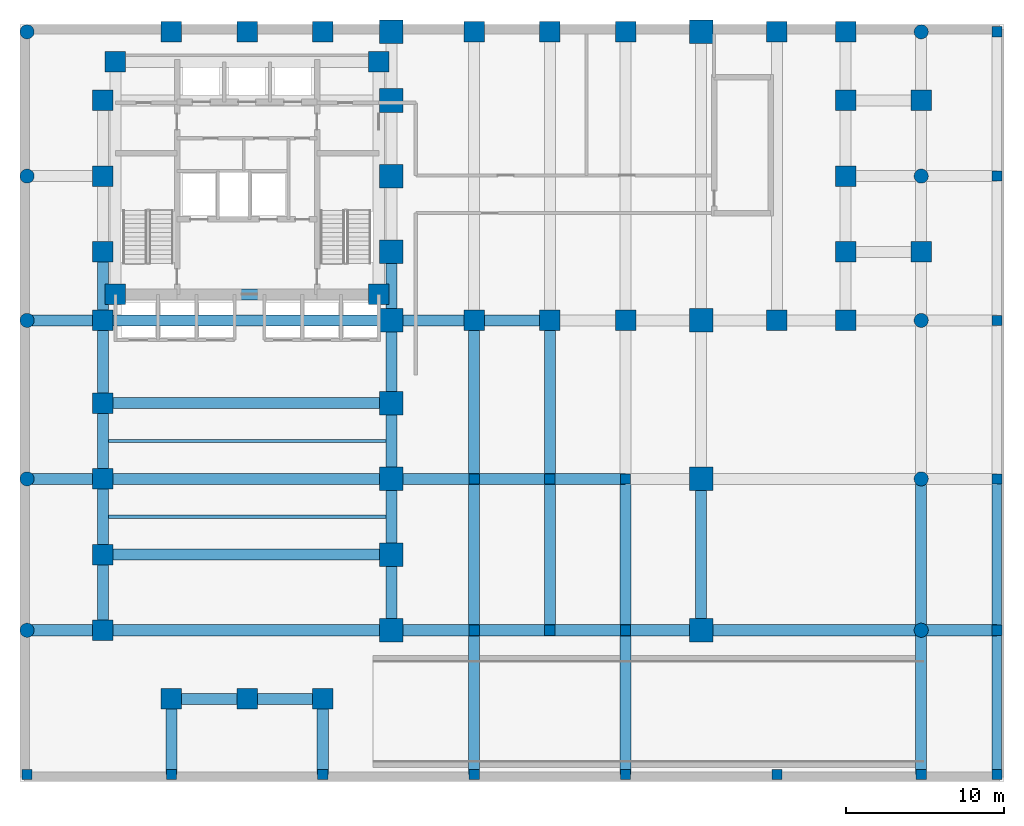
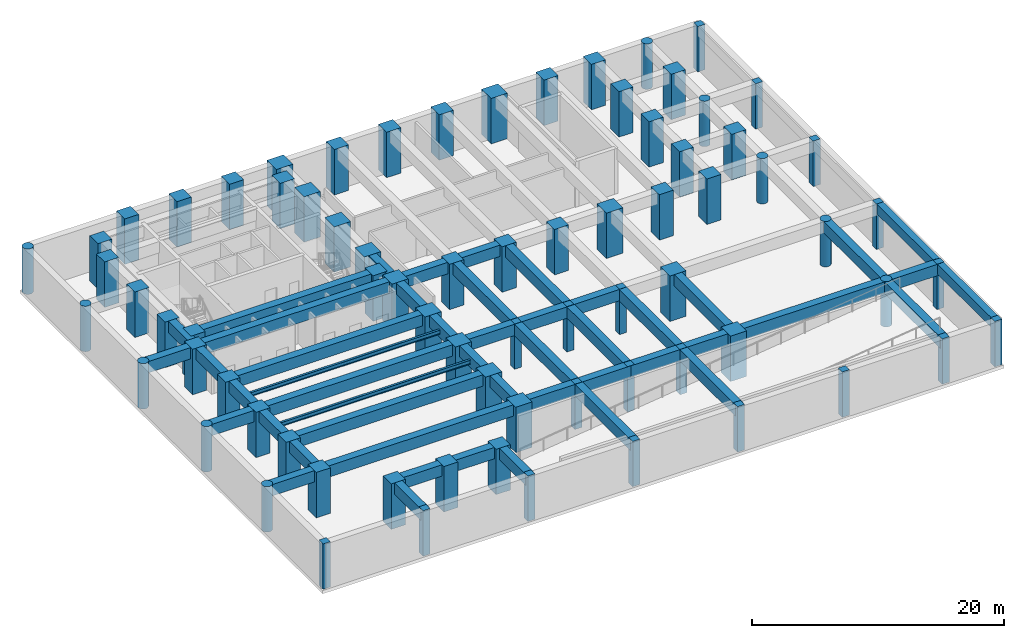
# One storey, part 1 of 6: 75 columns, 48 beams.
"""IFC4 building model written with IfcOpenShell, lengths in metres."""

from ifc_helpers import new_model, si_unit, direction, frame, origin, origin_2d, place, context, subcontext, project, spatial, rectangle, circle, i_section, extrude, material, material_profile, profile_set, type_object, element, save


model = new_model("IFC4")

# Units and contexts
model_context = context("Model", 3, precision=1e-05, world=origin(), true_north=direction((0.0, 1.0)))
body_context = subcontext(model_context, "Body", "Model", "MODEL_VIEW")
ifc_project = project(units=[si_unit("LENGTHUNIT", "METRE"), si_unit("AREAUNIT", "SQUARE_METRE"), si_unit("VOLUMEUNIT", "CUBIC_METRE"), si_unit("PLANEANGLEUNIT", "RADIAN"), si_unit("MASSUNIT", "GRAM", prefix="KILO")], contexts=[model_context])

# Site, building, storey
site_placement = place(None, origin())
site = spatial("IfcSite", under=ifc_project, at=site_placement, CompositionType="ELEMENT")
building_placement = place(site_placement, origin())
building = spatial("IfcBuilding", under=site, at=building_placement, Name="Orvandelia Arch Residences", CompositionType="ELEMENT")
storey_placement = place(building_placement, frame((0.0, 0.0, -8.800048828125)))
storey = spatial("IfcBuildingStorey", under=building, at=storey_placement, Name="B2", CompositionType="ELEMENT", Elevation=-8.800048828125)

# Columns
ifc_material_1 = material(Name="Concrete C50/60", Category="concrete")
ifc_material_profile_1 = material_profile(ifc_material_1, rectangle(XDim=0.64990234375, YDim=0.64990234375, at=origin_2d()), Name="Concrete C50/60", Category="concrete")
ifc_profile_set_1 = profile_set([ifc_material_profile_1], Name="Concrete C50/60")
column_type_1 = type_object("IfcColumnType", Name="COL-BSM-650", PredefinedType="PILASTER", material=ifc_profile_set_1)
for number, where, z_axis, x_axis, name in (
    (1, (0.449951171875, 0.449951171875, 0.0), (0.0, 0.0, 1.0), (1.0, 0.0, 0.0), "Structural Column B2-BSM-S0-4"),
    (2, (9.60009765625, 0.449951171875, 0.0), (0.0, 0.0, 1.0), (1.0, 0.0, 0.0), "Structural Column B2-BSM-S0-96"),
    (3, (19.199951171875, 0.449951171875, 0.0), (0.0, 0.0, 1.0), (1.0, 0.0, 0.0), "Structural Column B2-BSM-S0-192"),
    (4, (28.800048828125, 0.449951171875, 0.0), (0.0, 0.0, 1.0), (1.0, 0.0, 0.0), "Structural Column B2-BSM-S0-288"),
    (5, (28.800048828125, 9.60009765625, 0.0), (0.0, 0.0, 1.0), (1.0, 0.0, 0.0), "Structural Column B2-XFR-S-288-96"),
    (6, (28.800048828125, 19.199951171875, 0.0), (0.0, 0.0, 1.0), (1.0, 0.0, 0.0), "Structural Column B2-XFR-S-288-192"),
    (7, (33.60009765625, 9.60009765625, 0.0), (0.0, 0.0, 1.0), (1.0, 0.0, 0.0), "Structural Column B2-XFR-S-336-96"),
    (8, (33.60009765625, 19.199951171875, 0.0), (0.0, 0.0, 1.0), (1.0, 0.0, 0.0), "Structural Column B2-XFR-S-336-192"),
    (9, (38.39990234375, 0.449951171875, 0.0), (0.0, 0.0, 1.0), (1.0, 0.0, 0.0), "Structural Column B2-BSM-S0-384"),
    (10, (38.39990234375, 9.60009765625, 0.0), (0.0, 0.0, 1.0), (1.0, 0.0, 0.0), "Structural Column B2-XFR-S-384-96"),
    (11, (38.39990234375, 19.199951171875, 0.0), (0.0, 0.0, 1.0), (1.0, 0.0, 0.0), "Structural Column B2-XFR-S-384-192"),
    (12, (48.0, 0.449951171875, 0.0), (0.0, 0.0, 1.0), (1.0, 0.0, 0.0), "Structural Column B2-BSM-S0-480"),
    (13, (57.14990234375, 0.449951171875, 0.0), (0.0, 0.0, 1.0), (1.0, 0.0, 0.0), "Structural Column B2-BSM-S0-571"),
    (14, (61.949951171875, 0.449951171875, 0.0), (0.0, 0.0, 1.0), (1.0, 0.0, 0.0), "Structural Column B2-BSM-S0-619"),
    (15, (61.949951171875, 9.60009765625, 0.0), (0.0, 0.0, 1.0), (1.0, 0.0, 0.0), "Structural Column B2-BSM-E62-96"),
    (16, (61.949951171875, 19.199951171875, 0.0), (0.0, 0.0, 1.0), (1.0, 0.0, 0.0), "Structural Column B2-BSM-E62-192"),
    (17, (61.949951171875, 29.25, 0.0), (0.0, 0.0, 1.0), (1.0, 0.0, 0.0), "Structural Column B2-BSM-E62-292"),
    (18, (61.949951171875, 38.39990234375, 0.0), (0.0, 0.0, 1.0), (1.0, 0.0, 0.0), "Structural Column B2-BSM-E62-384"),
    (19, (61.949951171875, 47.550048828125, 0.0), (0.0, 0.0, 1.0), (1.0, 0.0, 0.0), "Structural Column B2-BSM-E62-475"),
):
    element("IfcColumn", number, at=place(storey_placement, frame(where, z_axis=z_axis, x_axis=x_axis)), inside=storey, type_object=column_type_1, Name=name, PredefinedType="PILASTER", context=body_context, shape_type="SweptSolid", body=[
        extrude(rectangle(XDim=0.64990234375, YDim=0.64990234375, at=origin_2d()), origin(), (0.0, 0.0, 1.0), 4.400146484375),
    ])
ifc_material_2 = material(Name="Concrete C80/95", Category="concrete")
ifc_material_profile_2 = material_profile(ifc_material_2, rectangle(XDim=1.5, YDim=1.5, at=origin_2d()), Name="Concrete C80/95", Category="concrete")
ifc_profile_set_2 = profile_set([ifc_material_profile_2], Name="Concrete C80/95")
column_type_2 = type_object("IfcColumnType", Name="COL-MEGA-1500", PredefinedType="USERDEFINED", material=ifc_profile_set_2)
for number, where, z_axis, x_axis, name in (
    (20, (23.550048828125, 9.60009765625, 0.0), (0.0, 0.0, 1.0), (1.0, 0.0, 0.0), "Structural Column B2-W-E-96"),
    (21, (23.550048828125, 14.39990234375, 0.0), (0.0, 0.0, 1.0), (1.0, 0.0, 0.0), "Structural Column B2-W-E-144"),
    (22, (23.550048828125, 19.199951171875, 0.0), (0.0, 0.0, 1.0), (1.0, 0.0, 0.0), "Structural Column B2-W-E-192"),
    (23, (23.550048828125, 24.0, 0.0), (0.0, 0.0, 1.0), (1.0, 0.0, 0.0), "Structural Column B2-W-E-240"),
    (24, (23.550048828125, 29.25, 0.0), (0.0, 0.0, 1.0), (1.0, 0.0, 0.0), "Structural Column B2-W-E-292"),
    (25, (23.550048828125, 33.60009765625, 0.0), (0.0, 0.0, 1.0), (1.0, 0.0, 0.0), "Structural Column B2-W-E-336"),
    (26, (23.550048828125, 38.39990234375, 0.0), (0.0, 0.0, 1.0), (1.0, 0.0, 0.0), "Structural Column B2-W-E-384"),
    (27, (23.550048828125, 43.199951171875, 0.0), (0.0, 0.0, 1.0), (1.0, 0.0, 0.0), "Structural Column B2-W-E-432"),
    (28, (23.550048828125, 47.550048828125, 0.0), (0.0, 0.0, 1.0), (1.0, 0.0, 0.0), "Structural Column B2-W-N-235"),
    (29, (43.199951171875, 9.60009765625, 0.0), (0.0, 0.0, 1.0), (1.0, 0.0, 0.0), "Structural Column B2-MPE-96"),
    (30, (43.199951171875, 19.199951171875, 0.0), (0.0, 0.0, 1.0), (1.0, 0.0, 0.0), "Structural Column B2-MPE-192"),
    (31, (43.199951171875, 29.25, 0.0), (0.0, 0.0, 1.0), (1.0, 0.0, 0.0), "Structural Column B2-E-S-432"),
    (32, (43.199951171875, 47.550048828125, 0.0), (0.0, 0.0, 1.0), (1.0, 0.0, 0.0), "Structural Column B2-E-N-432"),
):
    element("IfcColumn", number, at=place(storey_placement, frame(where, z_axis=z_axis, x_axis=x_axis)), inside=storey, type_object=column_type_2, Name=name, ObjectType="PIER COLUMN", PredefinedType="USERDEFINED", context=body_context, shape_type="SweptSolid", body=[
        extrude(rectangle(XDim=1.5, YDim=1.5, at=origin_2d()), origin(), (0.0, 0.0, 1.0), 4.400146484375),
    ])
ifc_material_3 = material(Name="Concrete C60/75", Category="concrete")
ifc_material_profile_3 = material_profile(ifc_material_3, circle(Radius=0.449951171875, at=origin_2d()), Name="Concrete C60/75", Category="concrete")
ifc_profile_set_3 = profile_set([ifc_material_profile_3], Name="Concrete C60/75")
column_type_3 = type_object("IfcColumnType", Name="COL-POD-900C", PredefinedType="COLUMN", material=ifc_profile_set_3)
for number, where, z_axis, x_axis, name in (
    (33, (0.449951171875, 9.60009765625, 0.0), (0.0, 0.0, 1.0), (1.0, 0.0, 0.0), "Structural Column B2-POD-W0-96"),
    (34, (0.449951171875, 19.199951171875, 0.0), (0.0, 0.0, 1.0), (1.0, 0.0, 0.0), "Structural Column B2-POD-W0-192"),
    (35, (0.449951171875, 29.25, 0.0), (0.0, 0.0, 1.0), (1.0, 0.0, 0.0), "Structural Column B2-POD-W0-292"),
    (36, (0.449951171875, 38.39990234375, 0.0), (0.0, 0.0, 1.0), (1.0, 0.0, 0.0), "Structural Column B2-POD-W0-384"),
    (37, (0.449951171875, 47.550048828125, 0.0), (0.0, 0.0, 1.0), (1.0, 0.0, 0.0), "Structural Column B2-POD-W0-475"),
    (38, (57.14990234375, 9.60009765625, 0.0), (0.0, 0.0, 1.0), (1.0, 0.0, 0.0), "Structural Column B2-POD-E0-96"),
    (39, (57.14990234375, 19.199951171875, 0.0), (0.0, 0.0, 1.0), (1.0, 0.0, 0.0), "Structural Column B2-POD-E0-192"),
    (40, (57.14990234375, 29.25, 0.0), (0.0, 0.0, 1.0), (1.0, 0.0, 0.0), "Structural Column B2-POD-E0-292"),
    (41, (57.14990234375, 38.39990234375, 0.0), (0.0, 0.0, 1.0), (1.0, 0.0, 0.0), "Structural Column B2-POD-E0-384"),
    (42, (57.14990234375, 47.550048828125, 0.0), (0.0, 0.0, 1.0), (1.0, 0.0, 0.0), "Structural Column B2-POD-E0-475"),
):
    element("IfcColumn", number, at=place(storey_placement, frame(where, z_axis=z_axis, x_axis=x_axis)), inside=storey, type_object=column_type_3, Name=name, PredefinedType="COLUMN", context=body_context, shape_type="SweptSolid", body=[
        extrude(circle(Radius=0.449951171875, at=origin_2d()), origin(), (0.0, 0.0, 1.0), 4.400146484375),
    ])
ifc_material_profile_4 = material_profile(ifc_material_2, rectangle(XDim=1.300048828125, YDim=1.300048828125, at=origin_2d()), Name="Concrete C80/95", Category="concrete")
ifc_profile_set_4 = profile_set([ifc_material_profile_4], Name="Concrete C80/95")
column_type_4 = type_object("IfcColumnType", Name="COL-TWR-1300", PredefinedType="COLUMN", material=ifc_profile_set_4)
for number, where, z_axis, x_axis, name in (
    (43, (5.25, 9.60009765625, 0.0), (0.0, 0.0, 1.0), (1.0, 0.0, 0.0), "Structural Column B2-W-W-96"),
    (44, (5.25, 14.39990234375, 0.0), (0.0, 0.0, 1.0), (1.0, 0.0, 0.0), "Structural Column B2-W-W-144"),
    (45, (5.25, 19.199951171875, 0.0), (0.0, 0.0, 1.0), (1.0, 0.0, 0.0), "Structural Column B2-W-W-192"),
    (46, (5.25, 24.0, 0.0), (0.0, 0.0, 1.0), (1.0, 0.0, 0.0), "Structural Column B2-W-W-240"),
    (47, (5.25, 29.25, 0.0), (0.0, 0.0, 1.0), (1.0, 0.0, 0.0), "Structural Column B2-W-W-292"),
    (48, (5.25, 33.60009765625, 0.0), (0.0, 0.0, 1.0), (1.0, 0.0, 0.0), "Structural Column B2-W-W-336"),
    (49, (5.25, 38.39990234375, 0.0), (0.0, 0.0, 1.0), (1.0, 0.0, 0.0), "Structural Column B2-W-W-384"),
    (50, (5.25, 43.199951171875, 0.0), (0.0, 0.0, 1.0), (1.0, 0.0, 0.0), "Structural Column B2-W-W-432"),
    (51, (6.050048828125, 30.89990234375, 0.0), (0.0, 0.0, 1.0), (1.0, 0.0, 0.0), "Structural Column B2-CR-SW"),
    (52, (6.050048828125, 45.64990234375, 0.0), (0.0, 0.0, 1.0), (1.0, 0.0, 0.0), "Structural Column B2-CR-NW"),
    (53, (9.60009765625, 5.25, 0.0), (0.0, 0.0, 1.0), (1.0, 0.0, 0.0), "Structural Column B2-W-S-96"),
    (54, (9.60009765625, 47.550048828125, 0.0), (0.0, 0.0, 1.0), (1.0, 0.0, 0.0), "Structural Column B2-W-N-96"),
    (55, (14.39990234375, 5.25, 0.0), (0.0, 0.0, 1.0), (1.0, 0.0, 0.0), "Structural Column B2-W-S-144"),
    (56, (14.39990234375, 47.550048828125, 0.0), (0.0, 0.0, 1.0), (1.0, 0.0, 0.0), "Structural Column B2-W-N-144"),
    (57, (19.199951171875, 5.25, 0.0), (0.0, 0.0, 1.0), (1.0, 0.0, 0.0), "Structural Column B2-W-S-192"),
    (58, (19.199951171875, 47.550048828125, 0.0), (0.0, 0.0, 1.0), (1.0, 0.0, 0.0), "Structural Column B2-W-N-192"),
    (59, (22.75, 30.89990234375, 0.0), (0.0, 0.0, 1.0), (1.0, 0.0, 0.0), "Structural Column B2-CR-SE"),
    (60, (22.75, 45.64990234375, 0.0), (0.0, 0.0, 1.0), (1.0, 0.0, 0.0), "Structural Column B2-CR-NE"),
    (61, (28.800048828125, 29.25, 0.0), (0.0, 0.0, 1.0), (1.0, 0.0, 0.0), "Structural Column B2-E-S-288"),
    (62, (28.800048828125, 47.550048828125, 0.0), (0.0, 0.0, 1.0), (1.0, 0.0, 0.0), "Structural Column B2-E-N-288"),
    (63, (33.60009765625, 29.25, 0.0), (0.0, 0.0, 1.0), (1.0, 0.0, 0.0), "Structural Column B2-E-S-336"),
    (64, (33.60009765625, 47.550048828125, 0.0), (0.0, 0.0, 1.0), (1.0, 0.0, 0.0), "Structural Column B2-E-N-336"),
    (65, (38.39990234375, 29.25, 0.0), (0.0, 0.0, 1.0), (1.0, 0.0, 0.0), "Structural Column B2-E-S-384"),
    (66, (38.39990234375, 47.550048828125, 0.0), (0.0, 0.0, 1.0), (1.0, 0.0, 0.0), "Structural Column B2-E-N-384"),
    (67, (48.0, 29.25, 0.0), (0.0, 0.0, 1.0), (1.0, 0.0, 0.0), "Structural Column B2-E-S-480"),
    (68, (48.0, 47.550048828125, 0.0), (0.0, 0.0, 1.0), (1.0, 0.0, 0.0), "Structural Column B2-E-N-480"),
    (69, (52.35009765625, 29.25, 0.0), (0.0, 0.0, 1.0), (1.0, 0.0, 0.0), "Structural Column B2-E-S-523"),
    (70, (52.35009765625, 33.60009765625, 0.0), (0.0, 0.0, 1.0), (1.0, 0.0, 0.0), "Structural Column B2-E-523-336"),
    (71, (52.35009765625, 38.39990234375, 0.0), (0.0, 0.0, 1.0), (1.0, 0.0, 0.0), "Structural Column B2-E-523-384"),
    (72, (52.35009765625, 43.199951171875, 0.0), (0.0, 0.0, 1.0), (1.0, 0.0, 0.0), "Structural Column B2-E-523-432"),
    (73, (52.35009765625, 47.550048828125, 0.0), (0.0, 0.0, 1.0), (1.0, 0.0, 0.0), "Structural Column B2-E-N-523"),
    (74, (57.14990234375, 33.60009765625, 0.0), (0.0, 0.0, 1.0), (1.0, 0.0, 0.0), "Structural Column B2-E-571-336"),
    (75, (57.14990234375, 43.199951171875, 0.0), (0.0, 0.0, 1.0), (1.0, 0.0, 0.0), "Structural Column B2-E-571-432"),
):
    element("IfcColumn", number, at=place(storey_placement, frame(where, z_axis=z_axis, x_axis=x_axis)), inside=storey, type_object=column_type_4, Name=name, PredefinedType="COLUMN", context=body_context, shape_type="SweptSolid", body=[
        extrude(rectangle(XDim=1.300048828125, YDim=1.300048828125, at=origin_2d()), origin(), (0.0, 0.0, 1.0), 4.400146484375),
    ])

# Beams
ifc_material_4 = material(Name="Structural Steel SM355 (355 MPa)", Category="steel")
ifc_material_profile_5 = material_profile(ifc_material_4, i_section(OverallWidth=0.199951171875, OverallDepth=0.39990234375, WebThickness=0.008056640625, FlangeThickness=0.012939453125, FilletRadius=0.01611328125, at=origin_2d()), Name="Structural Steel SM355 (355 MPa)", Category="steel")
ifc_profile_set_5 = profile_set([ifc_material_profile_5], Name="Structural Steel SM355 (355 MPa)")
beam_type_1 = type_object("IfcBeamType", Name="BM-JST-H400", PredefinedType="JOIST", material=ifc_profile_set_5)
for number, where, z_axis, x_axis, name in (
    (76, (5.25, 16.800048828125, 3.880126953125), (1.0, 0.0, 0.0), (0.0, 1.0, 0.0), "Composite Floor Joist B2-J1"),
    (77, (5.25, 21.60009765625, 3.880126953125), (1.0, 0.0, 0.0), (0.0, 1.0, 0.0), "Composite Floor Joist B2-J2"),
):
    element("IfcBeam", number, at=place(storey_placement, frame(where, z_axis=z_axis, x_axis=x_axis)), inside=storey, type_object=beam_type_1, Name=name, PredefinedType="JOIST", context=body_context, shape_type="SweptSolid", body=[
        extrude(i_section(OverallWidth=0.199951171875, OverallDepth=0.39990234375, WebThickness=0.008056640625, FlangeThickness=0.012939453125, FilletRadius=0.01611328125, at=origin_2d()), origin(), (0.0, 0.0, 1.0), 18.300048828125),
    ])
ifc_material_profile_6 = material_profile(ifc_material_1, rectangle(XDim=0.60009765625, YDim=0.949951171875, at=origin_2d()), Name="Concrete C50/60", Category="concrete")
ifc_profile_set_6 = profile_set([ifc_material_profile_6], Name="Concrete C50/60")
beam_type_2 = type_object("IfcBeamType", Name="BM-RC-600x950", PredefinedType="BEAM", material=ifc_profile_set_6)
beam_1_placement = place(storey_placement, frame((61.949951171875, 0.449951171875, 3.925048828125), z_axis=(0.0, 1.0, 0.0), x_axis=(-1.0, 0.0, 0.0)))
element("IfcBeam", 78, at=beam_1_placement, inside=storey, type_object=beam_type_2, Name="Basement Perimeter Edge Beam B2-4", PredefinedType="BEAM", context=body_context, shape_type="SweptSolid", body=[
    extrude(rectangle(XDim=0.60009765625, YDim=0.949951171875, at=origin_2d()), origin(), (0.0, 0.0, 1.0), 9.150146484375),
])
beam_2_placement = place(storey_placement, frame((61.949951171875, 9.60009765625, 3.925048828125), z_axis=(0.0, 1.0, 0.0), x_axis=(-1.0, 0.0, 0.0)))
element("IfcBeam", 79, at=beam_2_placement, inside=storey, type_object=beam_type_2, Name="Basement Perimeter Edge Beam B2-96", PredefinedType="BEAM", context=body_context, shape_type="SweptSolid", body=[
    extrude(rectangle(XDim=0.60009765625, YDim=0.949951171875, at=origin_2d()), origin(), (0.0, 0.0, 1.0), 9.599853515625),
])
ifc_material_profile_7 = material_profile(ifc_material_3, rectangle(XDim=0.699951171875, YDim=1.10009765625, at=origin_2d()), Name="Concrete C60/75", Category="concrete")
ifc_profile_set_7 = profile_set([ifc_material_profile_7], Name="Concrete C60/75")
beam_type_3 = type_object("IfcBeamType", Name="BM-RC-700x1100", PredefinedType="BEAM", material=ifc_profile_set_7)
beam_3_placement = place(storey_placement, frame((5.25, 9.60009765625, 3.85009765625), z_axis=(0.0, 1.0, 0.0), x_axis=(-1.0, 0.0, 0.0)))
element("IfcBeam", 80, at=beam_3_placement, inside=storey, type_object=beam_type_3, Name="Structural Frame Beam B2-NS-001", PredefinedType="BEAM", context=body_context, shape_type="SweptSolid", body=[
    extrude(rectangle(XDim=0.699951171875, YDim=1.10009765625, at=origin_2d()), origin(), (0.0, 0.0, 1.0), 4.7998046875),
])
for number, where, z_axis, x_axis, name in (
    (81, (5.25, 14.39990234375, 3.85009765625), (0.0, 1.0, 0.0), (-1.0, 0.0, 0.0), "Structural Frame Beam B2-NS-002"),
    (82, (5.25, 19.199951171875, 3.85009765625), (0.0, 1.0, 0.0), (-1.0, 0.0, 0.0), "Structural Frame Beam B2-NS-003"),
):
    element("IfcBeam", number, at=place(storey_placement, frame(where, z_axis=z_axis, x_axis=x_axis)), inside=storey, type_object=beam_type_3, Name=name, PredefinedType="BEAM", context=body_context, shape_type="SweptSolid", body=[
        extrude(rectangle(XDim=0.699951171875, YDim=1.10009765625, at=origin_2d()), origin(), (0.0, 0.0, 1.0), 4.800048828125),
    ])
beam_4_placement = place(storey_placement, frame((5.25, 24.0, 3.85009765625), z_axis=(0.0, 1.0, 0.0), x_axis=(-1.0, 0.0, 0.0)))
element("IfcBeam", 83, at=beam_4_placement, inside=storey, type_object=beam_type_3, Name="Structural Frame Beam B2-NS-004", PredefinedType="BEAM", context=body_context, shape_type="SweptSolid", body=[
    extrude(rectangle(XDim=0.699951171875, YDim=1.10009765625, at=origin_2d()), origin(), (0.0, 0.0, 1.0), 5.25),
])
beam_5_placement = place(storey_placement, frame((5.25, 29.25, 3.85009765625), z_axis=(0.0, 1.0, 0.0), x_axis=(-1.0, 0.0, 0.0)))
element("IfcBeam", 84, at=beam_5_placement, inside=storey, type_object=beam_type_3, Name="Structural Frame Beam B2-NS-005", PredefinedType="BEAM", context=body_context, shape_type="SweptSolid", body=[
    extrude(rectangle(XDim=0.699951171875, YDim=1.10009765625, at=origin_2d()), origin(), (0.0, 0.0, 1.0), 4.35009765625),
])
for number, where, z_axis, x_axis, name in (
    (85, (9.60009765625, 0.449951171875, 3.85009765625), (0.0, 1.0, 0.0), (-1.0, 0.0, 0.0), "Structural Frame Beam B2-NS-009"),
    (86, (19.199951171875, 0.449951171875, 3.85009765625), (0.0, 1.0, 0.0), (-1.0, 0.0, 0.0), "Structural Frame Beam B2-NS-010"),
):
    element("IfcBeam", number, at=place(storey_placement, frame(where, z_axis=z_axis, x_axis=x_axis)), inside=storey, type_object=beam_type_3, Name=name, PredefinedType="BEAM", context=body_context, shape_type="SweptSolid", body=[
        extrude(rectangle(XDim=0.699951171875, YDim=1.10009765625, at=origin_2d()), origin(), (0.0, 0.0, 1.0), 4.800048828125),
    ])
beam_6_placement = place(storey_placement, frame((23.550048828125, 9.60009765625, 3.85009765625), z_axis=(0.0, 1.0, 0.0), x_axis=(-1.0, 0.0, 0.0)))
element("IfcBeam", 87, at=beam_6_placement, inside=storey, type_object=beam_type_3, Name="Structural Frame Beam B2-NS-012", PredefinedType="BEAM", context=body_context, shape_type="SweptSolid", body=[
    extrude(rectangle(XDim=0.699951171875, YDim=1.10009765625, at=origin_2d()), origin(), (0.0, 0.0, 1.0), 4.7998046875),
])
for number, where, z_axis, x_axis, name in (
    (88, (23.550048828125, 14.39990234375, 3.85009765625), (0.0, 1.0, 0.0), (-1.0, 0.0, 0.0), "Structural Frame Beam B2-NS-013"),
    (89, (23.550048828125, 19.199951171875, 3.85009765625), (0.0, 1.0, 0.0), (-1.0, 0.0, 0.0), "Structural Frame Beam B2-NS-014"),
):
    element("IfcBeam", number, at=place(storey_placement, frame(where, z_axis=z_axis, x_axis=x_axis)), inside=storey, type_object=beam_type_3, Name=name, PredefinedType="BEAM", context=body_context, shape_type="SweptSolid", body=[
        extrude(rectangle(XDim=0.699951171875, YDim=1.10009765625, at=origin_2d()), origin(), (0.0, 0.0, 1.0), 4.800048828125),
    ])
beam_7_placement = place(storey_placement, frame((23.550048828125, 24.0, 3.85009765625), z_axis=(0.0, 1.0, 0.0), x_axis=(-1.0, 0.0, 0.0)))
element("IfcBeam", 90, at=beam_7_placement, inside=storey, type_object=beam_type_3, Name="Structural Frame Beam B2-NS-015", PredefinedType="BEAM", context=body_context, shape_type="SweptSolid", body=[
    extrude(rectangle(XDim=0.699951171875, YDim=1.10009765625, at=origin_2d()), origin(), (0.0, 0.0, 1.0), 5.25),
])
beam_8_placement = place(storey_placement, frame((23.550048828125, 29.25, 3.85009765625), z_axis=(0.0, 1.0, 0.0), x_axis=(-1.0, 0.0, 0.0)))
element("IfcBeam", 91, at=beam_8_placement, inside=storey, type_object=beam_type_3, Name="Structural Frame Beam B2-NS-016", PredefinedType="BEAM", context=body_context, shape_type="SweptSolid", body=[
    extrude(rectangle(XDim=0.699951171875, YDim=1.10009765625, at=origin_2d()), origin(), (0.0, 0.0, 1.0), 4.35009765625),
])
beam_9_placement = place(storey_placement, frame((28.800048828125, 0.449951171875, 3.85009765625), z_axis=(0.0, 1.0, 0.0), x_axis=(-1.0, 0.0, 0.0)))
element("IfcBeam", 92, at=beam_9_placement, inside=storey, type_object=beam_type_3, Name="Structural Frame Beam B2-NS-020", PredefinedType="BEAM", context=body_context, shape_type="SweptSolid", body=[
    extrude(rectangle(XDim=0.699951171875, YDim=1.10009765625, at=origin_2d()), origin(), (0.0, 0.0, 1.0), 9.150146484375),
])
beam_10_placement = place(storey_placement, frame((28.800048828125, 9.60009765625, 3.85009765625), z_axis=(0.0, 1.0, 0.0), x_axis=(-1.0, 0.0, 0.0)))
element("IfcBeam", 93, at=beam_10_placement, inside=storey, type_object=beam_type_3, Name="Structural Frame Beam B2-NS-021", PredefinedType="BEAM", context=body_context, shape_type="SweptSolid", body=[
    extrude(rectangle(XDim=0.699951171875, YDim=1.10009765625, at=origin_2d()), origin(), (0.0, 0.0, 1.0), 9.599853515625),
])
beam_11_placement = place(storey_placement, frame((28.800048828125, 19.199951171875, 3.85009765625), z_axis=(0.0, 1.0, 0.0), x_axis=(-1.0, 0.0, 0.0)))
element("IfcBeam", 94, at=beam_11_placement, inside=storey, type_object=beam_type_3, Name="Structural Frame Beam B2-NS-022", PredefinedType="BEAM", context=body_context, shape_type="SweptSolid", body=[
    extrude(rectangle(XDim=0.699951171875, YDim=1.10009765625, at=origin_2d()), origin(), (0.0, 0.0, 1.0), 10.050048828125),
])
beam_12_placement = place(storey_placement, frame((33.60009765625, 9.60009765625, 3.85009765625), z_axis=(0.0, 1.0, 0.0), x_axis=(-1.0, 0.0, 0.0)))
element("IfcBeam", 95, at=beam_12_placement, inside=storey, type_object=beam_type_3, Name="Structural Frame Beam B2-NS-024", PredefinedType="BEAM", context=body_context, shape_type="SweptSolid", body=[
    extrude(rectangle(XDim=0.699951171875, YDim=1.10009765625, at=origin_2d()), origin(), (0.0, 0.0, 1.0), 9.599853515625),
])
beam_13_placement = place(storey_placement, frame((33.60009765625, 19.199951171875, 3.85009765625), z_axis=(0.0, 1.0, 0.0), x_axis=(-1.0, 0.0, 0.0)))
element("IfcBeam", 96, at=beam_13_placement, inside=storey, type_object=beam_type_3, Name="Structural Frame Beam B2-NS-025", PredefinedType="BEAM", context=body_context, shape_type="SweptSolid", body=[
    extrude(rectangle(XDim=0.699951171875, YDim=1.10009765625, at=origin_2d()), origin(), (0.0, 0.0, 1.0), 10.050048828125),
])
beam_14_placement = place(storey_placement, frame((38.39990234375, 0.449951171875, 3.85009765625), z_axis=(0.0, 1.0, 0.0), x_axis=(-1.0, 0.0, 0.0)))
element("IfcBeam", 97, at=beam_14_placement, inside=storey, type_object=beam_type_3, Name="Structural Frame Beam B2-NS-027", PredefinedType="BEAM", context=body_context, shape_type="SweptSolid", body=[
    extrude(rectangle(XDim=0.699951171875, YDim=1.10009765625, at=origin_2d()), origin(), (0.0, 0.0, 1.0), 9.150146484375),
])
for number, where, z_axis, x_axis, name in (
    (98, (38.39990234375, 9.60009765625, 3.85009765625), (0.0, 1.0, 0.0), (-1.0, 0.0, 0.0), "Structural Frame Beam B2-NS-028"),
    (99, (43.199951171875, 9.60009765625, 3.85009765625), (0.0, 1.0, 0.0), (-1.0, 0.0, 0.0), "Structural Frame Beam B2-NS-031"),
):
    element("IfcBeam", number, at=place(storey_placement, frame(where, z_axis=z_axis, x_axis=x_axis)), inside=storey, type_object=beam_type_3, Name=name, PredefinedType="BEAM", context=body_context, shape_type="SweptSolid", body=[
        extrude(rectangle(XDim=0.699951171875, YDim=1.10009765625, at=origin_2d()), origin(), (0.0, 0.0, 1.0), 9.599853515625),
    ])
beam_15_placement = place(storey_placement, frame((57.14990234375, 0.449951171875, 3.85009765625), z_axis=(0.0, 1.0, 0.0), x_axis=(-1.0, 0.0, 0.0)))
element("IfcBeam", 100, at=beam_15_placement, inside=storey, type_object=beam_type_3, Name="Structural Frame Beam B2-NS-039", PredefinedType="BEAM", context=body_context, shape_type="SweptSolid", body=[
    extrude(rectangle(XDim=0.699951171875, YDim=1.10009765625, at=origin_2d()), origin(), (0.0, 0.0, 1.0), 9.150146484375),
])
beam_16_placement = place(storey_placement, frame((57.14990234375, 9.60009765625, 3.85009765625), z_axis=(0.0, 1.0, 0.0), x_axis=(-1.0, 0.0, 0.0)))
element("IfcBeam", 101, at=beam_16_placement, inside=storey, type_object=beam_type_3, Name="Structural Frame Beam B2-NS-040", PredefinedType="BEAM", context=body_context, shape_type="SweptSolid", body=[
    extrude(rectangle(XDim=0.699951171875, YDim=1.10009765625, at=origin_2d()), origin(), (0.0, 0.0, 1.0), 9.599853515625),
])
beam_17_placement = place(storey_placement, frame((9.60009765625, 5.25, 3.85009765625), z_axis=(1.0, 0.0, 0.0), x_axis=(0.0, 1.0, 0.0)))
element("IfcBeam", 102, at=beam_17_placement, inside=storey, type_object=beam_type_3, Name="Structural Frame Girder B2-EW-046", PredefinedType="BEAM", context=body_context, shape_type="SweptSolid", body=[
    extrude(rectangle(XDim=0.699951171875, YDim=1.10009765625, at=origin_2d()), origin(), (0.0, 0.0, 1.0), 4.7998046875),
])
for number, where, z_axis, x_axis, name in (
    (103, (14.39990234375, 5.25, 3.85009765625), (1.0, 0.0, 0.0), (0.0, 1.0, 0.0), "Structural Frame Girder B2-EW-047"),
    (104, (0.449951171875, 9.60009765625, 3.85009765625), (1.0, 0.0, 0.0), (0.0, 1.0, 0.0), "Structural Frame Girder B2-EW-048"),
):
    element("IfcBeam", number, at=place(storey_placement, frame(where, z_axis=z_axis, x_axis=x_axis)), inside=storey, type_object=beam_type_3, Name=name, PredefinedType="BEAM", context=body_context, shape_type="SweptSolid", body=[
        extrude(rectangle(XDim=0.699951171875, YDim=1.10009765625, at=origin_2d()), origin(), (0.0, 0.0, 1.0), 4.800048828125),
    ])
beam_18_placement = place(storey_placement, frame((5.25, 9.60009765625, 3.85009765625), z_axis=(1.0, 0.0, 0.0), x_axis=(0.0, 1.0, 0.0)))
element("IfcBeam", 105, at=beam_18_placement, inside=storey, type_object=beam_type_3, Name="Structural Frame Girder B2-EW-049", PredefinedType="BEAM", context=body_context, shape_type="SweptSolid", body=[
    extrude(rectangle(XDim=0.699951171875, YDim=1.10009765625, at=origin_2d()), origin(), (0.0, 0.0, 1.0), 18.300048828125),
])
beam_19_placement = place(storey_placement, frame((23.550048828125, 9.60009765625, 3.85009765625), z_axis=(1.0, 0.0, 0.0), x_axis=(0.0, 1.0, 0.0)))
element("IfcBeam", 106, at=beam_19_placement, inside=storey, type_object=beam_type_3, Name="Structural Frame Girder B2-EW-050", PredefinedType="BEAM", context=body_context, shape_type="SweptSolid", body=[
    extrude(rectangle(XDim=0.699951171875, YDim=1.10009765625, at=origin_2d()), origin(), (0.0, 0.0, 1.0), 5.25),
])
beam_20_placement = place(storey_placement, frame((28.800048828125, 9.60009765625, 3.85009765625), z_axis=(1.0, 0.0, 0.0), x_axis=(0.0, 1.0, 0.0)))
element("IfcBeam", 107, at=beam_20_placement, inside=storey, type_object=beam_type_3, Name="Structural Frame Girder B2-EW-051", PredefinedType="BEAM", context=body_context, shape_type="SweptSolid", body=[
    extrude(rectangle(XDim=0.699951171875, YDim=1.10009765625, at=origin_2d()), origin(), (0.0, 0.0, 1.0), 4.800048828125),
])
beam_21_placement = place(storey_placement, frame((33.60009765625, 9.60009765625, 3.85009765625), z_axis=(1.0, 0.0, 0.0), x_axis=(0.0, 1.0, 0.0)))
element("IfcBeam", 108, at=beam_21_placement, inside=storey, type_object=beam_type_3, Name="Structural Frame Girder B2-EW-052", PredefinedType="BEAM", context=body_context, shape_type="SweptSolid", body=[
    extrude(rectangle(XDim=0.699951171875, YDim=1.10009765625, at=origin_2d()), origin(), (0.0, 0.0, 1.0), 4.7998046875),
])
beam_22_placement = place(storey_placement, frame((38.39990234375, 9.60009765625, 3.85009765625), z_axis=(1.0, 0.0, 0.0), x_axis=(0.0, 1.0, 0.0)))
element("IfcBeam", 109, at=beam_22_placement, inside=storey, type_object=beam_type_3, Name="Structural Frame Girder B2-EW-053", PredefinedType="BEAM", context=body_context, shape_type="SweptSolid", body=[
    extrude(rectangle(XDim=0.699951171875, YDim=1.10009765625, at=origin_2d()), origin(), (0.0, 0.0, 1.0), 4.800048828125),
])
beam_23_placement = place(storey_placement, frame((43.199951171875, 9.60009765625, 3.85009765625), z_axis=(1.0, 0.0, 0.0), x_axis=(0.0, 1.0, 0.0)))
element("IfcBeam", 110, at=beam_23_placement, inside=storey, type_object=beam_type_3, Name="Structural Frame Girder B2-EW-054", PredefinedType="BEAM", context=body_context, shape_type="SweptSolid", body=[
    extrude(rectangle(XDim=0.699951171875, YDim=1.10009765625, at=origin_2d()), origin(), (0.0, 0.0, 1.0), 13.949951171875),
])
beam_24_placement = place(storey_placement, frame((57.14990234375, 9.60009765625, 3.85009765625), z_axis=(1.0, 0.0, 0.0), x_axis=(0.0, 1.0, 0.0)))
element("IfcBeam", 111, at=beam_24_placement, inside=storey, type_object=beam_type_3, Name="Structural Frame Girder B2-EW-055", PredefinedType="BEAM", context=body_context, shape_type="SweptSolid", body=[
    extrude(rectangle(XDim=0.699951171875, YDim=1.10009765625, at=origin_2d()), origin(), (0.0, 0.0, 1.0), 4.800048828125),
])
beam_25_placement = place(storey_placement, frame((5.25, 14.39990234375, 3.85009765625), z_axis=(1.0, 0.0, 0.0), x_axis=(0.0, 1.0, 0.0)))
element("IfcBeam", 112, at=beam_25_placement, inside=storey, type_object=beam_type_3, Name="Structural Frame Girder B2-EW-056", PredefinedType="BEAM", context=body_context, shape_type="SweptSolid", body=[
    extrude(rectangle(XDim=0.699951171875, YDim=1.10009765625, at=origin_2d()), origin(), (0.0, 0.0, 1.0), 18.300048828125),
])
beam_26_placement = place(storey_placement, frame((0.449951171875, 19.199951171875, 3.85009765625), z_axis=(1.0, 0.0, 0.0), x_axis=(0.0, 1.0, 0.0)))
element("IfcBeam", 113, at=beam_26_placement, inside=storey, type_object=beam_type_3, Name="Structural Frame Girder B2-EW-057", PredefinedType="BEAM", context=body_context, shape_type="SweptSolid", body=[
    extrude(rectangle(XDim=0.699951171875, YDim=1.10009765625, at=origin_2d()), origin(), (0.0, 0.0, 1.0), 4.800048828125),
])
beam_27_placement = place(storey_placement, frame((5.25, 19.199951171875, 3.85009765625), z_axis=(1.0, 0.0, 0.0), x_axis=(0.0, 1.0, 0.0)))
element("IfcBeam", 114, at=beam_27_placement, inside=storey, type_object=beam_type_3, Name="Structural Frame Girder B2-EW-058", PredefinedType="BEAM", context=body_context, shape_type="SweptSolid", body=[
    extrude(rectangle(XDim=0.699951171875, YDim=1.10009765625, at=origin_2d()), origin(), (0.0, 0.0, 1.0), 18.300048828125),
])
beam_28_placement = place(storey_placement, frame((23.550048828125, 19.199951171875, 3.85009765625), z_axis=(1.0, 0.0, 0.0), x_axis=(0.0, 1.0, 0.0)))
element("IfcBeam", 115, at=beam_28_placement, inside=storey, type_object=beam_type_3, Name="Structural Frame Girder B2-EW-059", PredefinedType="BEAM", context=body_context, shape_type="SweptSolid", body=[
    extrude(rectangle(XDim=0.699951171875, YDim=1.10009765625, at=origin_2d()), origin(), (0.0, 0.0, 1.0), 5.25),
])
beam_29_placement = place(storey_placement, frame((28.800048828125, 19.199951171875, 3.85009765625), z_axis=(1.0, 0.0, 0.0), x_axis=(0.0, 1.0, 0.0)))
element("IfcBeam", 116, at=beam_29_placement, inside=storey, type_object=beam_type_3, Name="Structural Frame Girder B2-EW-060", PredefinedType="BEAM", context=body_context, shape_type="SweptSolid", body=[
    extrude(rectangle(XDim=0.699951171875, YDim=1.10009765625, at=origin_2d()), origin(), (0.0, 0.0, 1.0), 4.800048828125),
])
beam_30_placement = place(storey_placement, frame((33.60009765625, 19.199951171875, 3.85009765625), z_axis=(1.0, 0.0, 0.0), x_axis=(0.0, 1.0, 0.0)))
element("IfcBeam", 117, at=beam_30_placement, inside=storey, type_object=beam_type_3, Name="Structural Frame Girder B2-EW-061", PredefinedType="BEAM", context=body_context, shape_type="SweptSolid", body=[
    extrude(rectangle(XDim=0.699951171875, YDim=1.10009765625, at=origin_2d()), origin(), (0.0, 0.0, 1.0), 4.7998046875),
])
beam_31_placement = place(storey_placement, frame((5.25, 24.0, 3.85009765625), z_axis=(1.0, 0.0, 0.0), x_axis=(0.0, 1.0, 0.0)))
element("IfcBeam", 118, at=beam_31_placement, inside=storey, type_object=beam_type_3, Name="Structural Frame Girder B2-EW-065", PredefinedType="BEAM", context=body_context, shape_type="SweptSolid", body=[
    extrude(rectangle(XDim=0.699951171875, YDim=1.10009765625, at=origin_2d()), origin(), (0.0, 0.0, 1.0), 18.300048828125),
])
beam_32_placement = place(storey_placement, frame((0.449951171875, 29.25, 3.85009765625), z_axis=(1.0, 0.0, 0.0), x_axis=(0.0, 1.0, 0.0)))
element("IfcBeam", 119, at=beam_32_placement, inside=storey, type_object=beam_type_3, Name="Structural Frame Girder B2-EW-066", PredefinedType="BEAM", context=body_context, shape_type="SweptSolid", body=[
    extrude(rectangle(XDim=0.699951171875, YDim=1.10009765625, at=origin_2d()), origin(), (0.0, 0.0, 1.0), 4.800048828125),
])
beam_33_placement = place(storey_placement, frame((5.25, 29.25, 3.85009765625), z_axis=(1.0, 0.0, 0.0), x_axis=(0.0, 1.0, 0.0)))
element("IfcBeam", 120, at=beam_33_placement, inside=storey, type_object=beam_type_3, Name="Structural Frame Girder B2-EW-067", PredefinedType="BEAM", context=body_context, shape_type="SweptSolid", body=[
    extrude(rectangle(XDim=0.699951171875, YDim=1.10009765625, at=origin_2d()), origin(), (0.0, 0.0, 1.0), 18.300048828125),
])
beam_34_placement = place(storey_placement, frame((23.550048828125, 29.25, 3.85009765625), z_axis=(1.0, 0.0, 0.0), x_axis=(0.0, 1.0, 0.0)))
element("IfcBeam", 121, at=beam_34_placement, inside=storey, type_object=beam_type_3, Name="Structural Frame Girder B2-EW-068", PredefinedType="BEAM", context=body_context, shape_type="SweptSolid", body=[
    extrude(rectangle(XDim=0.699951171875, YDim=1.10009765625, at=origin_2d()), origin(), (0.0, 0.0, 1.0), 5.25),
])
beam_35_placement = place(storey_placement, frame((28.800048828125, 29.25, 3.85009765625), z_axis=(1.0, 0.0, 0.0), x_axis=(0.0, 1.0, 0.0)))
element("IfcBeam", 122, at=beam_35_placement, inside=storey, type_object=beam_type_3, Name="Structural Frame Girder B2-EW-069", PredefinedType="BEAM", context=body_context, shape_type="SweptSolid", body=[
    extrude(rectangle(XDim=0.699951171875, YDim=1.10009765625, at=origin_2d()), origin(), (0.0, 0.0, 1.0), 4.800048828125),
])
beam_36_placement = place(storey_placement, frame((6.050048828125, 30.89990234375, 3.85009765625), z_axis=(1.0, 0.0, 0.0), x_axis=(0.0, 1.0, 0.0)))
element("IfcBeam", 123, at=beam_36_placement, inside=storey, type_object=beam_type_3, Name="Structural Frame Girder B2-EW-076", PredefinedType="BEAM", context=body_context, shape_type="SweptSolid", body=[
    extrude(rectangle(XDim=0.699951171875, YDim=1.10009765625, at=origin_2d()), origin(), (0.0, 0.0, 1.0), 16.699951171875),
])

save(model, "model.ifc")
